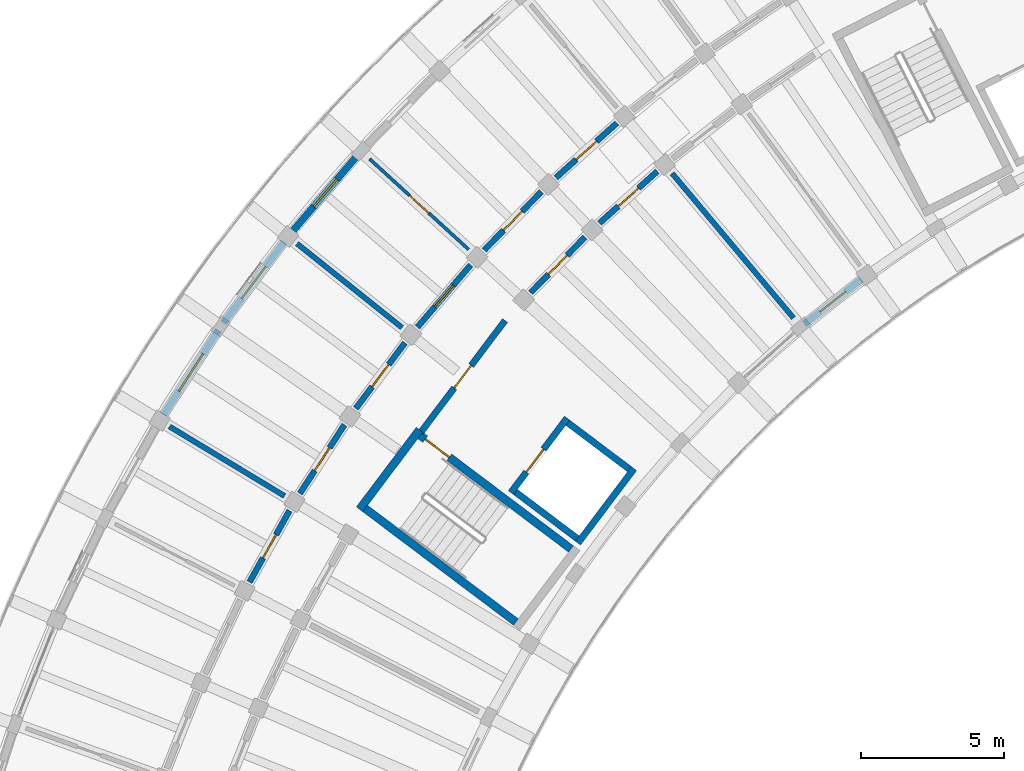
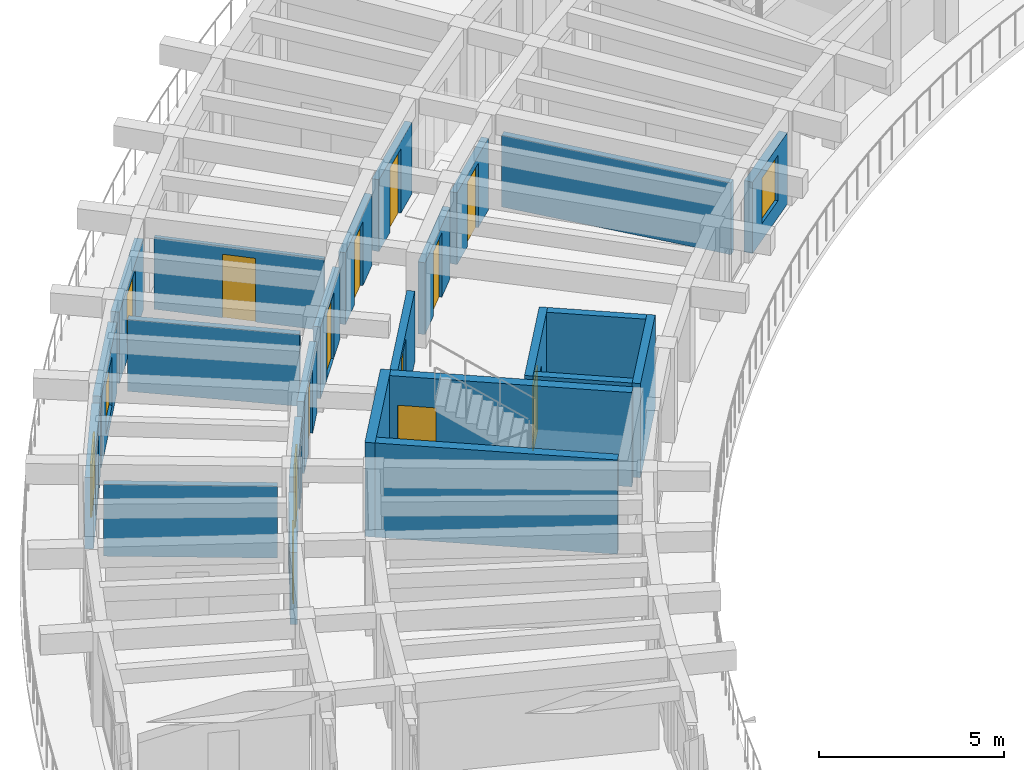
# One storey, part 47 of 81: 24 walls, 12 doors, 4 windows, 16 openings.
"""IFC4 building model written with IfcOpenShell, lengths in metres."""

import ifcopenshell
import ifcopenshell.guid

model = None  # the IFC model being written
_history = None  # IfcOwnerHistory: only IFC2X3 demands one
_inside = {}  # id of a spatial element -> (the spatial element, [elements in it])
_under = {}  # id of a project, library or spatial element -> (it, [spatial elements below it])
_declared = {}  # id of a project -> (the project, [libraries it declares])
_typed = {}  # id of a type object -> (the type object, [elements of that type])
_made_of = {}  # id of a material, layer set ... -> (it, [elements and type objects made of it])


def new_model(schema):
    """Start an empty IFC model of exactly this schema.

    Asked for "IFC4X3", IfcOpenShell would pick the latest addendum, in which some entities
    have other attributes; the version numbers below select the first issue.
    IFC2X3 requires an IfcOwnerHistory on every rooted entity: one is made here for all.
    """
    global model, _history
    if schema == "IFC4X3":
        model = ifcopenshell.file(schema_version=(4, 3, 0, 0))
    else:
        model = ifcopenshell.file(schema=schema)
    _inside.clear()
    _under.clear()
    _declared.clear()
    _typed.clear()
    _made_of.clear()
    _history = None
    if model.schema == "IFC2X3":
        org = make("IfcOrganization", Name="unknown")
        user = make(
            "IfcPersonAndOrganization",
            ThePerson=make("IfcPerson", FamilyName="unknown"),
            TheOrganization=org,
        )
        app = make(
            "IfcApplication",
            ApplicationDeveloper=org,
            Version="unknown",
            ApplicationFullName="unknown",
            ApplicationIdentifier="unknown",
        )
        _history = make(
            "IfcOwnerHistory",
            OwningUser=user,
            OwningApplication=app,
            ChangeAction="ADDED",
            CreationDate=0,
        )
    return model


def make(cls, **values):
    """One entity of the class cls with the attributes given. An attribute that is None is left unset."""
    return model.create_entity(
        cls, **{name: value for name, value in values.items() if value is not None}
    )


def rooted(cls, **values):
    """An entity with a GlobalId (a new one), such as an element, a storey or a relation."""
    return make(cls, GlobalId=ifcopenshell.guid.new(), OwnerHistory=_history, **values)


def si_unit(unit_type, name, prefix=None):
    """IfcSIUnit, for example si_unit("LENGTHUNIT", "METRE", prefix="MILLI")."""
    return make("IfcSIUnit", UnitType=unit_type, Prefix=prefix, Name=name)


def assignment(units):
    """IfcUnitAssignment: the units of a project."""
    return None if units is None else make("IfcUnitAssignment", Units=units)


def point(xyz):
    """IfcCartesianPoint."""
    return None if xyz is None else make("IfcCartesianPoint", Coordinates=xyz)


def direction(xyz):
    """IfcDirection."""
    return None if xyz is None else make("IfcDirection", DirectionRatios=xyz)


def frame(location, z_axis=None, x_axis=None):
    """IfcAxis2Placement3D, a coordinate frame: its origin and axes. An axis left out is left unset."""
    return make(
        "IfcAxis2Placement3D",
        Location=point(location),
        Axis=direction(z_axis),
        RefDirection=direction(x_axis),
    )


def frame_2d(location, x_axis=None):
    """IfcAxis2Placement2D, a coordinate frame in the plane: its origin and x axis."""
    return make(
        "IfcAxis2Placement2D", Location=point(location), RefDirection=direction(x_axis)
    )


def origin():
    """The frame at (0, 0, 0) with its axes left unset."""
    return frame((0.0, 0.0, 0.0))


def place(relative_to, where):
    """IfcLocalPlacement: puts the frame where relative to a parent placement (None: the world)."""
    return make(
        "IfcLocalPlacement", PlacementRelTo=relative_to, RelativePlacement=where
    )


def context(
    kind, dimensions, precision=None, world=None, true_north=None, identifier=None
):
    """IfcGeometricRepresentationContext, for example the 3D "Model" context."""
    return make(
        "IfcGeometricRepresentationContext",
        ContextIdentifier=identifier,
        ContextType=kind,
        CoordinateSpaceDimension=dimensions,
        Precision=precision,
        WorldCoordinateSystem=world,
        TrueNorth=true_north,
    )


def subcontext(parent, identifier, kind, view, scale=None):
    """IfcGeometricRepresentationSubContext, for example "Body" below "Model"."""
    return make(
        "IfcGeometricRepresentationSubContext",
        ContextIdentifier=identifier,
        ContextType=kind,
        ParentContext=parent,
        TargetScale=scale,
        TargetView=view,
    )


def project(units=None, contexts=None):
    """IfcProject with its units and contexts."""
    return rooted(
        "IfcProject",
        Name="project",
        RepresentationContexts=contexts,
        UnitsInContext=assignment(units),
    )


def spatial(cls, under=None, at=None, **own):
    """A site, building, storey or space (cls), placed at a placement, below another one or the project."""
    s = rooted(cls, ObjectPlacement=at, **own)
    if under is not None:
        _under.setdefault(under.id(), (under, []))[1].append(s)
    return s


def profile(cls, at=None, kind="AREA", **sizes):
    """A parametric profile (cls). Its sizes go by their IFC names, for example OverallWidth=200.0."""
    return make(cls, ProfileType=kind, Position=at, **sizes)


def rectangle(**sizes):
    """IfcRectangleProfileDef."""
    return profile("IfcRectangleProfileDef", **sizes)


def extrude(swept, where, along, depth):
    """IfcExtrudedAreaSolid: the profile swept, set in the frame where, extruded along a direction by depth."""
    return make(
        "IfcExtrudedAreaSolid",
        SweptArea=swept,
        Position=where,
        ExtrudedDirection=direction(along),
        Depth=depth,
    )


def shape(context_of_items, identifier, shape_type, items):
    """IfcShapeRepresentation: the items that make up one representation, for example the "Body"."""
    return make(
        "IfcShapeRepresentation",
        ContextOfItems=context_of_items,
        RepresentationIdentifier=identifier,
        RepresentationType=shape_type,
        Items=items,
    )


def material(Name=None, Category=None):
    """IfcMaterial."""
    return make("IfcMaterial", Name=Name, Category=Category)


def layer(
    of_material, thickness, ventilated=None, Name=None, Category=None, Priority=None
):
    """IfcMaterialLayer: one layer of a wall or slab, of a material (None: an air gap)."""
    return make(
        "IfcMaterialLayer",
        Material=of_material,
        LayerThickness=thickness,
        IsVentilated=ventilated,
        Name=Name,
        Category=Category,
        Priority=Priority,
    )


def layer_set(layers, Name=None):
    """IfcMaterialLayerSet."""
    return make("IfcMaterialLayerSet", MaterialLayers=layers, LayerSetName=Name)


def made_of(thing, what):
    """Note that an element or type object is made of a material, layer set ...; save() writes the relation."""
    if what is not None:
        _made_of.setdefault(what.id(), (what, []))[1].append(thing)
    return thing


def type_object(cls, material=None, **own):
    """A type object (cls), such as IfcWallType, which elements share."""
    return made_of(rooted(cls, **own), material)


def element(
    cls,
    number,
    at=None,
    inside=None,
    cuts=None,
    type_object=None,
    material=None,
    context=None,
    identifier="Body",
    shape_type=None,
    held_by="IfcProductDefinitionShape",
    body=None,
    shapes=None,
    **own,
):
    """One element of the class cls, such as IfcWall. Its Tag is "e" and its number.

    at: its placement. inside: the storey or other place that contains it. cuts: it is an
    opening in that element (IfcRelVoidsElement). A single representation is given by context,
    identifier, shape_type and body (its items); several are given by shapes. held_by: the class
    of the entity that holds the representations. save() writes the other relations.
    """
    e = rooted(cls, Tag="e%d" % number, ObjectPlacement=at, **own)
    if body is not None:
        shapes = [shape(context, identifier, shape_type, body)]
    if shapes is not None:
        e.Representation = make(held_by, Representations=shapes)
    if inside is not None:
        _inside.setdefault(inside.id(), (inside, []))[1].append(e)
    if cuts is not None:
        rooted(
            "IfcRelVoidsElement", RelatingBuildingElement=cuts, RelatedOpeningElement=e
        )
    if type_object is not None:
        _typed.setdefault(type_object.id(), (type_object, []))[1].append(e)
    return made_of(e, material)


def fill(opening, filler):
    """IfcRelFillsElement: the door or window that sits in an opening."""
    return rooted(
        "IfcRelFillsElement",
        RelatingOpeningElement=opening,
        RelatedBuildingElement=filler,
    )


def aggregate(whole, parts):
    """IfcRelAggregates: a whole, such as a stair, and the parts it consists of."""
    return rooted("IfcRelAggregates", RelatingObject=whole, RelatedObjects=parts)


def save(model, path):
    """Write the relations noted so far, then the file.

    IfcRelAggregates (storeys below a building ...), IfcRelContainedInSpatialStructure (elements
    in a storey), IfcRelDefinesByType, IfcRelAssociatesMaterial and IfcRelDeclares: one each for
    every whole, place, type object, material and project.
    """
    for whole, parts in _under.values():
        aggregate(whole, parts)
    for where, things in _inside.values():
        rooted(
            "IfcRelContainedInSpatialStructure",
            RelatedElements=things,
            RelatingStructure=where,
        )
    for kind, things in _typed.values():
        rooted("IfcRelDefinesByType", RelatedObjects=things, RelatingType=kind)
    for what, things in _made_of.values():
        rooted("IfcRelAssociatesMaterial", RelatedObjects=things, RelatingMaterial=what)
    for by, libraries in _declared.values():
        rooted("IfcRelDeclares", RelatingContext=by, RelatedDefinitions=libraries)
    model.write(path)


model = new_model("IFC4")

# Units and contexts
model_context = context("Model", 3, precision=1e-05, world=origin(), true_north=direction((0.0, 1.0)))
body_context = subcontext(model_context, "Body", "Model", "MODEL_VIEW")
ifc_project = project(units=[si_unit("LENGTHUNIT", "METRE"), si_unit("AREAUNIT", "SQUARE_METRE"), si_unit("VOLUMEUNIT", "CUBIC_METRE"), si_unit("PLANEANGLEUNIT", "RADIAN"), si_unit("MASSUNIT", "GRAM", prefix="KILO")], contexts=[model_context])

# Site, building, storey
site_placement = place(None, origin())
site = spatial("IfcSite", under=ifc_project, at=site_placement, CompositionType="ELEMENT")
building_placement = place(site_placement, origin())
building = spatial("IfcBuilding", under=site, at=building_placement, Name="Tanwirah Colonnade Gardens", CompositionType="ELEMENT")
storey_placement = place(building_placement, frame((0.0, 0.0, 18.919921875)))
storey = spatial("IfcBuildingStorey", under=building, at=storey_placement, Name="L05", CompositionType="ELEMENT", Elevation=18.919921875)

# Wall, opening, window
ifc_material_1 = material(Name="Limestone architectural precast concrete C40/50", Category="masonry")
ifc_layer_1 = layer(ifc_material_1, 0.2451171875)
ifc_layer_set_1 = layer_set([ifc_layer_1], Name="Limestone architectural precast concrete C40/50")
wall_type_1 = type_object("IfcWallType", Name="EW-PC245", PredefinedType="SOLIDWALL", material=ifc_layer_set_1)
wall_1_placement = place(storey_placement, frame((38.541015625, 95.907958984375, 0.0), z_axis=(0.0, 0.0, 1.0), x_axis=(-0.786831325151, -0.617168101704, 0.0)))
wall_1 = element("IfcWall", 1, at=wall_1_placement, inside=storey, type_object=wall_type_1, Name="Block A L05 IN Precast Facade Wall 8", PredefinedType="SOLIDWALL", context=body_context, shape_type="SweptSolid", body=[
    extrude(rectangle(XDim=2.525390625, YDim=0.2451171875, at=frame_2d((1.2626953125, 0.0))), origin(), (0.0, 0.0, 1.0), 2.35498046875),
])
opening_1_placement = place(wall_1_placement, frame((0.6875, 0.0, 0.550048828125)))
opening_1 = element("IfcOpeningElement", 2, at=opening_1_placement, cuts=wall_1, Name="Opening WIN-T01", PredefinedType="OPENING", context=body_context, shape_type="SweptSolid", body=[
    extrude(rectangle(XDim=1.14990234375, YDim=1.5, at=frame_2d((0.574951171875, 0.75))), frame((0.0, 0.132568359375, 0.0), z_axis=(0.0, -1.0, 0.0), x_axis=(1.0, 0.0, 0.0)), (0.0, 0.0, 1.0), 0.26513671875),
])
ifc_material_2 = material(Name="Thermally broken bronze aluminium and solar low-E double glazing", Category="aluminium")
window_type_1 = type_object("IfcWindowType", Name="WIN-T01", PartitioningType="SINGLE_PANEL", PredefinedType="WINDOW", material=ifc_material_2)
window_1_placement = place(opening_1_placement, origin())
window_1 = element("IfcWindow", 3, at=window_1_placement, inside=storey, type_object=window_type_1, Name="Facade window A-L05-IN-08", OverallHeight=1.5, OverallWidth=1.14990234375, PartitioningType="SINGLE_PANEL", PredefinedType="WINDOW", context=body_context, shape_type="SweptSolid", body=[
    extrude(rectangle(XDim=1.14990234375, YDim=1.5, at=frame_2d((0.574951171875, 0.75))), frame((0.0, 0.030029296875, 0.0), z_axis=(0.0, -1.0, 0.0), x_axis=(1.0, 0.0, 0.0)), (0.0, 0.0, 1.0), 0.06005859375),
])
fill(opening_1, window_1)

wall_2_placement = place(storey_placement, frame((20.9521484375, 100.267333984375, 0.0), z_axis=(0.0, 0.0, 1.0), x_axis=(-0.65016298181, -0.759794773004, 0.0)))
wall_2 = element("IfcWall", 4, at=wall_2_placement, inside=storey, type_object=wall_type_1, Name="Block A L05 OUT Precast Facade Wall 11", PredefinedType="SOLIDWALL", context=body_context, shape_type="SweptSolid", body=[
    extrude(rectangle(XDim=3.520751953125, YDim=0.2451171875, at=frame_2d((1.76025390625, 0.0))), origin(), (0.0, 0.0, 1.0), 2.35498046875),
])
opening_2_placement = place(wall_2_placement, frame((1.13525390625, 0.0, 0.550048828125)))
opening_2 = element("IfcOpeningElement", 5, at=opening_2_placement, cuts=wall_2, Name="Opening WIN-T03", PredefinedType="OPENING", context=body_context, shape_type="SweptSolid", body=[
    extrude(rectangle(XDim=1.25, YDim=1.60009765625, at=frame_2d((0.625, 0.800048828125))), frame((0.0, 0.132568359375, 0.0), z_axis=(0.0, -1.0, 0.0), x_axis=(1.0, 0.0, 0.0)), (0.0, 0.0, 1.0), 0.26513671875),
])
window_type_2 = type_object("IfcWindowType", Name="WIN-T03", PartitioningType="SINGLE_PANEL", PredefinedType="WINDOW", material=ifc_material_2)
window_2_placement = place(opening_2_placement, origin())
window_2 = element("IfcWindow", 6, at=window_2_placement, inside=storey, type_object=window_type_2, Name="Facade window A-L05-OUT-11", OverallHeight=1.60009765625, OverallWidth=1.25, PartitioningType="SINGLE_PANEL", PredefinedType="WINDOW", context=body_context, shape_type="SweptSolid", body=[
    extrude(rectangle(XDim=1.25, YDim=1.60009765625, at=frame_2d((0.625, 0.800048828125))), frame((0.0, 0.030029296875, 0.0), z_axis=(0.0, -1.0, 0.0), x_axis=(1.0, 0.0, 0.0)), (0.0, 0.0, 1.0), 0.06005859375),
])
fill(opening_2, window_2)

wall_3_placement = place(storey_placement, frame((18.35693359375, 97.2099609375, 0.0), z_axis=(0.0, 0.0, 1.0), x_axis=(-0.598701122926, -0.800972512267, 0.0)))
wall_3 = element("IfcWall", 7, at=wall_3_placement, inside=storey, type_object=wall_type_1, Name="Block A L05 OUT Precast Facade Wall 12", PredefinedType="SOLIDWALL", context=body_context, shape_type="SweptSolid", body=[
    extrude(rectangle(XDim=3.520751953125, YDim=0.2451171875, at=frame_2d((1.76025390625, 0.0))), origin(), (0.0, 0.0, 1.0), 2.35498046875),
])
opening_3_placement = place(wall_3_placement, frame((1.060302734375, 0.0, 0.35009765625)))
opening_3 = element("IfcOpeningElement", 8, at=opening_3_placement, cuts=wall_3, Name="Opening WIN-T06", PredefinedType="OPENING", context=body_context, shape_type="SweptSolid", body=[
    extrude(rectangle(XDim=1.39990234375, YDim=1.64990234375, at=frame_2d((0.699951171875, 0.824951171875))), frame((0.0, 0.132568359375, 0.0), z_axis=(0.0, -1.0, 0.0), x_axis=(1.0, 0.0, 0.0)), (0.0, 0.0, 1.0), 0.26513671875),
])
window_type_3 = type_object("IfcWindowType", Name="WIN-T06", PartitioningType="DOUBLE_PANEL_VERTICAL", PredefinedType="WINDOW", material=ifc_material_2)
window_3_placement = place(opening_3_placement, origin())
window_3 = element("IfcWindow", 9, at=window_3_placement, inside=storey, type_object=window_type_3, Name="Facade window A-L05-OUT-12", OverallHeight=1.64990234375, OverallWidth=1.39990234375, PartitioningType="SINGLE_PANEL", PredefinedType="WINDOW", context=body_context, shape_type="SweptSolid", body=[
    extrude(rectangle(XDim=1.39990234375, YDim=1.64990234375, at=frame_2d((0.699951171875, 0.824951171875))), frame((0.0, 0.030029296875, 0.0), z_axis=(0.0, -1.0, 0.0), x_axis=(1.0, 0.0, 0.0)), (0.0, 0.0, 1.0), 0.06005859375),
])
fill(opening_3, window_3)

wall_4_placement = place(storey_placement, frame((16.066162109375, 94.127685546875, 0.0), z_axis=(0.0, 0.0, 1.0), x_axis=(-0.544610510414, -0.838689091349, 0.0)))
wall_4 = element("IfcWall", 10, at=wall_4_placement, inside=storey, type_object=wall_type_1, Name="Block A L05 OUT Precast Facade Wall 13", PredefinedType="SOLIDWALL", context=body_context, shape_type="SweptSolid", body=[
    extrude(rectangle(XDim=3.520751953125, YDim=0.2451171875, at=frame_2d((1.76025390625, 0.0))), origin(), (0.0, 0.0, 1.0), 2.35498046875),
])
opening_4_placement = place(wall_4_placement, frame((0.9853515625, 0.0, 0.35009765625)))
opening_4 = element("IfcOpeningElement", 11, at=opening_4_placement, cuts=wall_4, Name="Opening WIN-T09", PredefinedType="OPENING", context=body_context, shape_type="SweptSolid", body=[
    extrude(rectangle(XDim=1.550048828125, YDim=1.75, at=frame_2d((0.77490234375, 0.875))), frame((0.0, 0.132568359375, 0.0), z_axis=(0.0, -1.0, 0.0), x_axis=(1.0, 0.0, 0.0)), (0.0, 0.0, 1.0), 0.26513671875),
])
window_type_4 = type_object("IfcWindowType", Name="WIN-T09", PartitioningType="DOUBLE_PANEL_VERTICAL", PredefinedType="WINDOW", material=ifc_material_2)
window_4_placement = place(opening_4_placement, origin())
window_4 = element("IfcWindow", 12, at=window_4_placement, inside=storey, type_object=window_type_4, Name="Facade window A-L05-OUT-13", OverallHeight=1.75, OverallWidth=1.550048828125, PartitioningType="SINGLE_PANEL", PredefinedType="WINDOW", context=body_context, shape_type="SweptSolid", body=[
    extrude(rectangle(XDim=1.550048828125, YDim=1.75, at=frame_2d((0.77490234375, 0.875))), frame((0.0, 0.030029296875, 0.0), z_axis=(0.0, -1.0, 0.0), x_axis=(1.0, 0.0, 0.0)), (0.0, 0.0, 1.0), 0.06005859375),
])
fill(opening_4, window_4)

# Wall, opening, door
ifc_material_3 = material(Name="Precast concrete C40/50", Category="concrete")
ifc_layer_2 = layer(ifc_material_3, 0.205078125)
ifc_layer_set_2 = layer_set([ifc_layer_2], Name="Precast concrete C40/50")
wall_type_2 = type_object("IfcWallType", Name="IW-CORR205", PredefinedType="PARTITIONING", material=ifc_layer_set_2)
wall_5_placement = place(storey_placement, frame((29.996826171875, 101.37109375, 0.0), z_axis=(0.0, 0.0, 1.0), x_axis=(-0.744433521088, -0.667696587291, 0.0)))
wall_5 = element("IfcWall", 13, at=wall_5_placement, inside=storey, type_object=wall_type_2, Name="Block A L05 OUT Corridor Wall 9", PredefinedType="PARTITIONING", context=body_context, shape_type="SweptSolid", body=[
    extrude(rectangle(XDim=2.86328125, YDim=0.205078125, at=frame_2d((1.431640625, 0.0))), origin(), (0.0, 0.0, 1.0), 2.3701171875),
])
opening_5_placement = place(wall_5_placement, frame((0.95654296875, 0.0, 0.0)))
opening_5 = element("IfcOpeningElement", 14, at=opening_5_placement, cuts=wall_5, Name="Opening L05-AD452", PredefinedType="OPENING", context=body_context, shape_type="SweptSolid", body=[
    extrude(rectangle(XDim=0.949951171875, YDim=2.1298828125, at=frame_2d((0.47509765625, 1.06494140625))), frame((0.0, 0.112548828125, 0.0), z_axis=(0.0, -1.0, 0.0), x_axis=(1.0, 0.0, 0.0)), (0.0, 0.0, 1.0), 0.22509765625),
])
ifc_material_4 = material(Name="Solid oak fire-resisting apartment entrance door")
door_type_1 = type_object("IfcDoorType", Name="ID-FLT095", OperationType="NOTDEFINED", PredefinedType="DOOR", material=ifc_material_4)
door_1_placement = place(opening_5_placement, origin())
door_1 = element("IfcDoor", 15, at=door_1_placement, inside=storey, type_object=door_type_1, Name="Apartment corridor door L05-AD452", OperationType="SINGLE_SWING_LEFT", OverallHeight=2.1298828125, OverallWidth=0.949951171875, PredefinedType="DOOR", context=body_context, shape_type="SweptSolid", body=[
    extrude(rectangle(XDim=0.949951171875, YDim=2.1298828125, at=frame_2d((0.47509765625, 1.06494140625))), frame((0.0, 0.02490234375, 0.0), z_axis=(0.0, -1.0, 0.0), x_axis=(1.0, 0.0, 0.0)), (0.0, 0.0, 1.0), 0.050048828125),
])
fill(opening_5, door_1)

wall_6_placement = place(storey_placement, frame((31.410888671875, 99.685791015625, 0.0), z_axis=(0.0, 0.0, 1.0), x_axis=(-0.744418559135, -0.667713268413, 0.0)))
wall_6 = element("IfcWall", 16, at=wall_6_placement, inside=storey, type_object=wall_type_2, Name="Block A L05 IN Corridor Wall 9", PredefinedType="PARTITIONING", context=body_context, shape_type="SweptSolid", body=[
    extrude(rectangle(XDim=2.71826171875, YDim=0.205078125, at=frame_2d((1.359130859375, 0.0))), origin(), (0.0, 0.0, 1.0), 2.3701171875),
])
opening_6_placement = place(wall_6_placement, frame((0.884033203125, 0.0, 0.0)))
opening_6 = element("IfcOpeningElement", 17, at=opening_6_placement, cuts=wall_6, Name="Opening L05-AD453", PredefinedType="OPENING", context=body_context, shape_type="SweptSolid", body=[
    extrude(rectangle(XDim=0.949951171875, YDim=2.1298828125, at=frame_2d((0.47509765625, 1.06494140625))), frame((0.0, 0.112548828125, 0.0), z_axis=(0.0, -1.0, 0.0), x_axis=(1.0, 0.0, 0.0)), (0.0, 0.0, 1.0), 0.22509765625),
])
door_2_placement = place(opening_6_placement, origin())
door_2 = element("IfcDoor", 18, at=door_2_placement, inside=storey, type_object=door_type_1, Name="Apartment corridor door L05-AD453", OperationType="SINGLE_SWING_RIGHT", OverallHeight=2.1298828125, OverallWidth=0.949951171875, PredefinedType="DOOR", context=body_context, shape_type="SweptSolid", body=[
    extrude(rectangle(XDim=0.949951171875, YDim=2.1298828125, at=frame_2d((0.47509765625, 1.06494140625))), frame((0.0, 0.02490234375, 0.0), z_axis=(0.0, -1.0, 0.0), x_axis=(1.0, 0.0, 0.0)), (0.0, 0.0, 1.0), 0.050048828125),
])
fill(opening_6, door_2)

wall_7_placement = place(storey_placement, frame((27.360107421875, 98.975341796875, 0.0), z_axis=(0.0, 0.0, 1.0), x_axis=(-0.698787219683, -0.715329589496, 0.0)))
wall_7 = element("IfcWall", 19, at=wall_7_placement, inside=storey, type_object=wall_type_2, Name="Block A L05 OUT Corridor Wall 10", PredefinedType="PARTITIONING", context=body_context, shape_type="SweptSolid", body=[
    extrude(rectangle(XDim=2.863037109375, YDim=0.205078125, at=frame_2d((1.431640625, 0.0))), origin(), (0.0, 0.0, 1.0), 2.3701171875),
])
opening_7_placement = place(wall_7_placement, frame((0.966552734375, 0.0, 0.0)))
opening_7 = element("IfcOpeningElement", 20, at=opening_7_placement, cuts=wall_7, Name="Opening L05-AD454", PredefinedType="OPENING", context=body_context, shape_type="SweptSolid", body=[
    extrude(rectangle(XDim=0.929931640625, YDim=2.1201171875, at=frame_2d((0.46484375, 1.06005859375))), frame((0.0, 0.112548828125, 0.0), z_axis=(0.0, -1.0, 0.0), x_axis=(1.0, 0.0, 0.0)), (0.0, 0.0, 1.0), 0.22509765625),
])
door_type_2 = type_object("IfcDoorType", Name="ID-FLT093", OperationType="NOTDEFINED", PredefinedType="DOOR", material=ifc_material_4)
door_3_placement = place(opening_7_placement, origin())
door_3 = element("IfcDoor", 21, at=door_3_placement, inside=storey, type_object=door_type_2, Name="Apartment corridor door L05-AD454", OperationType="SINGLE_SWING_RIGHT", OverallHeight=2.1201171875, OverallWidth=0.929931640625, PredefinedType="DOOR", context=body_context, shape_type="SweptSolid", body=[
    extrude(rectangle(XDim=0.929931640625, YDim=2.1201171875, at=frame_2d((0.46484375, 1.06005859375))), frame((0.0, 0.02490234375, 0.0), z_axis=(0.0, -1.0, 0.0), x_axis=(1.0, 0.0, 0.0)), (0.0, 0.0, 1.0), 0.050048828125),
])
fill(opening_7, door_3)

wall_8_placement = place(storey_placement, frame((28.88232421875, 97.38671875, 0.0), z_axis=(0.0, 0.0, 1.0), x_axis=(-0.698840007829, -0.715278018296, 0.0)))
wall_8 = element("IfcWall", 22, at=wall_8_placement, inside=storey, type_object=wall_type_2, Name="Block A L05 IN Corridor Wall 10", PredefinedType="PARTITIONING", context=body_context, shape_type="SweptSolid", body=[
    extrude(rectangle(XDim=2.718017578125, YDim=0.205078125, at=frame_2d((1.35888671875, 0.0))), origin(), (0.0, 0.0, 1.0), 2.3701171875),
])
opening_8_placement = place(wall_8_placement, frame((0.89404296875, 0.0, 0.0)))
opening_8 = element("IfcOpeningElement", 23, at=opening_8_placement, cuts=wall_8, Name="Opening L05-AD455", PredefinedType="OPENING", context=body_context, shape_type="SweptSolid", body=[
    extrude(rectangle(XDim=0.929931640625, YDim=2.1201171875, at=frame_2d((0.46484375, 1.06005859375))), frame((0.0, 0.112548828125, 0.0), z_axis=(0.0, -1.0, 0.0), x_axis=(1.0, 0.0, 0.0)), (0.0, 0.0, 1.0), 0.22509765625),
])
door_4_placement = place(opening_8_placement, origin())
door_4 = element("IfcDoor", 24, at=door_4_placement, inside=storey, type_object=door_type_2, Name="Apartment corridor door L05-AD455", OperationType="SINGLE_SWING_LEFT", OverallHeight=2.1201171875, OverallWidth=0.929931640625, PredefinedType="DOOR", context=body_context, shape_type="SweptSolid", body=[
    extrude(rectangle(XDim=0.929931640625, YDim=2.1201171875, at=frame_2d((0.46484375, 1.06005859375))), frame((0.0, 0.02490234375, 0.0), z_axis=(0.0, -1.0, 0.0), x_axis=(1.0, 0.0, 0.0)), (0.0, 0.0, 1.0), 0.050048828125),
])
fill(opening_8, door_4)

wall_9_placement = place(storey_placement, frame((24.88720703125, 96.4111328125, 0.0), z_axis=(0.0, 0.0, 1.0), x_axis=(-0.650194272684, -0.759767996015, 0.0)))
wall_9 = element("IfcWall", 25, at=wall_9_placement, inside=storey, type_object=wall_type_2, Name="Block A L05 OUT Corridor Wall 11", PredefinedType="PARTITIONING", context=body_context, shape_type="SweptSolid", body=[
    extrude(rectangle(XDim=2.863037109375, YDim=0.205078125, at=frame_2d((1.431640625, 0.0))), origin(), (0.0, 0.0, 1.0), 2.3701171875),
])
opening_9_placement = place(wall_9_placement, frame((0.9365234375, 0.0, 0.0)))
opening_9 = element("IfcOpeningElement", 26, at=opening_9_placement, cuts=wall_9, Name="Opening L05-AD457", PredefinedType="OPENING", context=body_context, shape_type="SweptSolid", body=[
    extrude(rectangle(XDim=0.989990234375, YDim=2.159912109375, at=frame_2d((0.4951171875, 1.080078125))), frame((0.0, 0.112548828125, 0.0), z_axis=(0.0, -1.0, 0.0), x_axis=(1.0, 0.0, 0.0)), (0.0, 0.0, 1.0), 0.22509765625),
])
door_type_3 = type_object("IfcDoorType", Name="ID-FLT099", OperationType="NOTDEFINED", PredefinedType="DOOR", material=ifc_material_4)
door_5_placement = place(opening_9_placement, origin())
door_5 = element("IfcDoor", 27, at=door_5_placement, inside=storey, type_object=door_type_3, Name="Apartment corridor door L05-AD457", OperationType="SINGLE_SWING_LEFT", OverallHeight=2.159912109375, OverallWidth=0.989990234375, PredefinedType="DOOR", context=body_context, shape_type="SweptSolid", body=[
    extrude(rectangle(XDim=0.989990234375, YDim=2.159912109375, at=frame_2d((0.4951171875, 1.080078125))), frame((0.0, 0.02490234375, 0.0), z_axis=(0.0, -1.0, 0.0), x_axis=(1.0, 0.0, 0.0)), (0.0, 0.0, 1.0), 0.050048828125),
])
fill(opening_9, door_5)

wall_10_placement = place(storey_placement, frame((22.588623046875, 93.689453125, 0.0), z_axis=(0.0, 0.0, 1.0), x_axis=(-0.598757763243, -0.800930172335, 0.0)))
wall_10 = element("IfcWall", 28, at=wall_10_placement, inside=storey, type_object=wall_type_2, Name="Block A L05 OUT Corridor Wall 12", PredefinedType="PARTITIONING", context=body_context, shape_type="SweptSolid", body=[
    extrude(rectangle(XDim=2.86328125, YDim=0.205078125, at=frame_2d((1.431640625, 0.0))), origin(), (0.0, 0.0, 1.0), 2.3701171875),
])
opening_10_placement = place(wall_10_placement, frame((0.946533203125, 0.0, 0.0)))
opening_10 = element("IfcOpeningElement", 29, at=opening_10_placement, cuts=wall_10, Name="Opening L05-AD458", PredefinedType="OPENING", context=body_context, shape_type="SweptSolid", body=[
    extrude(rectangle(XDim=0.969970703125, YDim=2.14990234375, at=frame_2d((0.48486328125, 1.074951171875))), frame((0.0, 0.112548828125, 0.0), z_axis=(0.0, -1.0, 0.0), x_axis=(1.0, 0.0, 0.0)), (0.0, 0.0, 1.0), 0.22509765625),
])
door_type_4 = type_object("IfcDoorType", Name="ID-FLT097", OperationType="NOTDEFINED", PredefinedType="DOOR", material=ifc_material_4)
door_6_placement = place(opening_10_placement, origin())
door_6 = element("IfcDoor", 30, at=door_6_placement, inside=storey, type_object=door_type_4, Name="Apartment corridor door L05-AD458", OperationType="SINGLE_SWING_RIGHT", OverallHeight=2.14990234375, OverallWidth=0.969970703125, PredefinedType="DOOR", context=body_context, shape_type="SweptSolid", body=[
    extrude(rectangle(XDim=0.969970703125, YDim=2.14990234375, at=frame_2d((0.48486328125, 1.074951171875))), frame((0.0, 0.02490234375, 0.0), z_axis=(0.0, -1.0, 0.0), x_axis=(1.0, 0.0, 0.0)), (0.0, 0.0, 1.0), 0.050048828125),
])
fill(opening_10, door_6)

wall_11_placement = place(storey_placement, frame((20.47412109375, 90.822265625, 0.0), z_axis=(0.0, 0.0, 1.0), x_axis=(-0.544643612649, -0.838667595178, 0.0)))
wall_11 = element("IfcWall", 31, at=wall_11_placement, inside=storey, type_object=wall_type_2, Name="Block A L05 OUT Corridor Wall 13", PredefinedType="PARTITIONING", context=body_context, shape_type="SweptSolid", body=[
    extrude(rectangle(XDim=2.863037109375, YDim=0.205078125, at=frame_2d((1.431640625, 0.0))), origin(), (0.0, 0.0, 1.0), 2.3701171875),
])
opening_11_placement = place(wall_11_placement, frame((0.95654296875, 0.0, 0.0)))
opening_11 = element("IfcOpeningElement", 32, at=opening_11_placement, cuts=wall_11, Name="Opening L05-AD459", PredefinedType="OPENING", context=body_context, shape_type="SweptSolid", body=[
    extrude(rectangle(XDim=0.949951171875, YDim=2.1298828125, at=frame_2d((0.47509765625, 1.06494140625))), frame((0.0, 0.112548828125, 0.0), z_axis=(0.0, -1.0, 0.0), x_axis=(1.0, 0.0, 0.0)), (0.0, 0.0, 1.0), 0.22509765625),
])
door_7_placement = place(opening_11_placement, origin())
door_7 = element("IfcDoor", 33, at=door_7_placement, inside=storey, type_object=door_type_1, Name="Apartment corridor door L05-AD459", OperationType="SINGLE_SWING_LEFT", OverallHeight=2.1298828125, OverallWidth=0.949951171875, PredefinedType="DOOR", context=body_context, shape_type="SweptSolid", body=[
    extrude(rectangle(XDim=0.949951171875, YDim=2.1298828125, at=frame_2d((0.47509765625, 1.06494140625))), frame((0.0, 0.02490234375, 0.0), z_axis=(0.0, -1.0, 0.0), x_axis=(1.0, 0.0, 0.0)), (0.0, 0.0, 1.0), 0.050048828125),
])
fill(opening_11, door_7)

wall_12_placement = place(storey_placement, frame((18.55322265625, 87.822021484375, 0.0), z_axis=(0.0, 0.0, 1.0), x_axis=(-0.488211211273, -0.872725508501, 0.0)))
wall_12 = element("IfcWall", 34, at=wall_12_placement, inside=storey, type_object=wall_type_2, Name="Block A L05 OUT Corridor Wall 14", PredefinedType="PARTITIONING", context=body_context, shape_type="SweptSolid", body=[
    extrude(rectangle(XDim=2.86279296875, YDim=0.205078125, at=frame_2d((1.431396484375, 0.0))), origin(), (0.0, 0.0, 1.0), 2.3701171875),
])
opening_12_placement = place(wall_12_placement, frame((0.966552734375, 0.0, 0.0)))
opening_12 = element("IfcOpeningElement", 35, at=opening_12_placement, cuts=wall_12, Name="Opening L05-AD460", PredefinedType="OPENING", context=body_context, shape_type="SweptSolid", body=[
    extrude(rectangle(XDim=0.929931640625, YDim=2.1201171875, at=frame_2d((0.46484375, 1.06005859375))), frame((0.0, 0.112548828125, 0.0), z_axis=(0.0, -1.0, 0.0), x_axis=(1.0, 0.0, 0.0)), (0.0, 0.0, 1.0), 0.22509765625),
])
door_8_placement = place(opening_12_placement, origin())
door_8 = element("IfcDoor", 36, at=door_8_placement, inside=storey, type_object=door_type_2, Name="Apartment corridor door L05-AD460", OperationType="SINGLE_SWING_RIGHT", OverallHeight=2.1201171875, OverallWidth=0.929931640625, PredefinedType="DOOR", context=body_context, shape_type="SweptSolid", body=[
    extrude(rectangle(XDim=0.929931640625, YDim=2.1201171875, at=frame_2d((0.46484375, 1.06005859375))), frame((0.0, 0.02490234375, 0.0), z_axis=(0.0, -1.0, 0.0), x_axis=(1.0, 0.0, 0.0)), (0.0, 0.0, 1.0), 0.050048828125),
])
fill(opening_12, door_8)

# Walls
ifc_layer_3 = layer(ifc_material_3, 0.18505859375)
ifc_layer_set_3 = layer_set([ifc_layer_3], Name="Precast concrete C40/50")
wall_type_3 = type_object("IfcWallType", Name="IW-DEM185", PredefinedType="PARTITIONING", material=ifc_layer_set_3)
wall_13_placement = place(storey_placement, frame((36.1708984375, 94.55712890625, 0.0), z_axis=(0.0, 0.0, 1.0), x_axis=(-0.642789470807, 0.766042881449, 0.0)))
element("IfcWall", 37, at=wall_13_placement, inside=storey, type_object=wall_type_3, Name="Block A L05 Inner Radial Partition 8", PredefinedType="PARTITIONING", context=body_context, shape_type="SweptSolid", body=[
    extrude(rectangle(XDim=6.60009765625, YDim=0.18505859375, at=frame_2d((3.300048828125, 0.0))), origin(), (0.0, 0.0, 1.0), 2.3701171875),
])
wall_14_placement = place(storey_placement, frame((22.48583984375, 94.2197265625, 0.0), z_axis=(0.0, 0.0, 1.0), x_axis=(-0.780807994362, 0.624771058821, 0.0)))
element("IfcWall", 38, at=wall_14_placement, inside=storey, type_object=wall_type_3, Name="Block A L05 Radial Partition 11", PredefinedType="PARTITIONING", context=body_context, shape_type="SweptSolid", body=[
    extrude(rectangle(XDim=4.7001953125, YDim=0.18505859375, at=frame_2d((2.35009765625, 0.0))), origin(), (0.0, 0.0, 1.0), 2.3701171875),
])
wall_15_placement = place(storey_placement, frame((18.381591796875, 88.334228515625, 0.0), z_axis=(0.0, 0.0, 1.0), x_axis=(-0.856165473929, 0.516701733356, 0.0)))
element("IfcWall", 39, at=wall_15_placement, inside=storey, type_object=wall_type_3, Name="Block A L05 Radial Partition 13", PredefinedType="PARTITIONING", context=body_context, shape_type="SweptSolid", body=[
    extrude(rectangle(XDim=4.699951171875, YDim=0.18505859375, at=frame_2d((2.35009765625, 0.0))), origin(), (0.0, 0.0, 1.0), 2.3701171875),
])

# Wall, opening, door
ifc_material_5 = material(Name="Autoclaved aerated masonry blockwork", Category="masonry")
ifc_layer_4 = layer(ifc_material_5, 0.219970703125)
ifc_layer_set_4 = layer_set([ifc_layer_4], Name="Autoclaved aerated masonry blockwork")
wall_type_4 = type_object("IfcWallType", Name="IW-FFL220", PredefinedType="PARTITIONING", material=ifc_layer_set_4)
wall_16_placement = place(storey_placement, frame((23.138916015625, 90.55517578125, 0.0), z_axis=(0.0, 0.0, 1.0), x_axis=(0.601792209296, 0.79865270101, 0.0)))
wall_16 = element("IfcWall", 40, at=wall_16_placement, inside=storey, type_object=wall_type_4, Name="CORE-A2 L05 Enclosed Lobby Fire Wall", PredefinedType="PARTITIONING", context=body_context, shape_type="SweptSolid", body=[
    extrude(rectangle(XDim=4.89990234375, YDim=0.219970703125, at=frame_2d((2.449951171875, 0.0))), origin(), (0.0, 0.0, 1.0), 2.340087890625),
])
opening_13_placement = place(wall_16_placement, frame((1.949951171875, 0.0, 0.0)))
opening_13 = element("IfcOpeningElement", 41, at=opening_13_placement, cuts=wall_16, Name="Opening L05-LD055", PredefinedType="OPENING", context=body_context, shape_type="SweptSolid", body=[
    extrude(rectangle(XDim=0.97998046875, YDim=2.139892578125, at=frame_2d((0.489990234375, 1.06982421875))), frame((0.0, 0.119873046875, 0.0), z_axis=(0.0, -1.0, 0.0), x_axis=(1.0, 0.0, 0.0)), (0.0, 0.0, 1.0), 0.239990234375),
])
ifc_material_6 = material(Name="Acoustic fire-resisting lobby door")
door_type_5 = type_object("IfcDoorType", Name="ID-FFL098", OperationType="NOTDEFINED", PredefinedType="DOOR", material=ifc_material_6)
door_9_placement = place(opening_13_placement, origin())
door_9 = element("IfcDoor", 42, at=door_9_placement, inside=storey, type_object=door_type_5, Name="CORE-A2 L05 Lobby Fire Door L05-LD055", OperationType="SINGLE_SWING_RIGHT", OverallHeight=2.139892578125, OverallWidth=0.97998046875, PredefinedType="DOOR", context=body_context, shape_type="SweptSolid", body=[
    extrude(rectangle(XDim=0.97998046875, YDim=2.139892578125, at=frame_2d((0.489990234375, 1.06982421875))), frame((0.0, 0.02490234375, 0.0), z_axis=(0.0, -1.0, 0.0), x_axis=(1.0, 0.0, 0.0)), (0.0, 0.0, 1.0), 0.050048828125),
])
fill(opening_13, door_9)

ifc_material_7 = material(Name="Acoustic gypsum stud partition")
ifc_layer_5 = layer(ifc_material_7, 0.114990234375)
ifc_layer_set_5 = layer_set([ifc_layer_5], Name="Acoustic gypsum stud partition")
wall_type_5 = type_object("IfcWallType", Name="IW-INT115", PredefinedType="PARTITIONING", material=ifc_layer_set_5)
wall_17_placement = place(storey_placement, frame((24.819580078125, 96.947021484375, 0.0), z_axis=(0.0, 0.0, 1.0), x_axis=(-0.737934199263, 0.674872667663, 0.0)))
wall_17 = element("IfcWall", 43, at=wall_17_placement, inside=storey, type_object=wall_type_5, Name="Block A L05 Radial Partition 10", PredefinedType="PARTITIONING", context=body_context, shape_type="SweptSolid", body=[
    extrude(rectangle(XDim=4.699951171875, YDim=0.114990234375, at=frame_2d((2.35009765625, 0.0))), origin(), (0.0, 0.0, 1.0), 2.3701171875),
])
opening_14_placement = place(wall_17_placement, frame((1.89501953125, 0.0, 0.0)))
opening_14 = element("IfcOpeningElement", 44, at=opening_14_placement, cuts=wall_17, Name="Opening L05-RD456", PredefinedType="OPENING", context=body_context, shape_type="SweptSolid", body=[
    extrude(rectangle(XDim=0.909912109375, YDim=2.10009765625, at=frame_2d((0.455078125, 1.050048828125))), frame((0.0, 0.0673828125, 0.0), z_axis=(0.0, -1.0, 0.0), x_axis=(1.0, 0.0, 0.0)), (0.0, 0.0, 1.0), 0.135009765625),
])
ifc_material_8 = material(Name="Painted hardwood internal room door", Category="wood")
door_type_6 = type_object("IfcDoorType", Name="ID-RM091", OperationType="NOTDEFINED", PredefinedType="DOOR", material=ifc_material_8)
door_10_placement = place(opening_14_placement, origin())
door_10 = element("IfcDoor", 45, at=door_10_placement, inside=storey, type_object=door_type_6, Name="Internal apartment door L05-RD456", OperationType="SINGLE_SWING_RIGHT", OverallHeight=2.10009765625, OverallWidth=0.909912109375, PredefinedType="DOOR", context=body_context, shape_type="SweptSolid", body=[
    extrude(rectangle(XDim=0.909912109375, YDim=2.10009765625, at=frame_2d((0.455078125, 1.050048828125))), frame((0.0, 0.02490234375, 0.0), z_axis=(0.0, -1.0, 0.0), x_axis=(1.0, 0.0, 0.0)), (0.0, 0.0, 1.0), 0.050048828125),
])
fill(opening_14, door_10)

# Walls
ifc_material_9 = material(Name="Concrete C45/55", Category="concrete")
ifc_layer_6 = layer(ifc_material_9, 0.280029296875)
ifc_layer_set_6 = layer_set([ifc_layer_6], Name="Concrete C45/55")
wall_type_6 = type_object("IfcWallType", Name="SW-CORE280", PredefinedType="SHEAR", material=ifc_layer_set_6)
wall_18_placement = place(storey_placement, frame((21.19873046875, 87.8974609375, 0.0), z_axis=(0.0, 0.0, 1.0), x_axis=(0.798639633744, -0.601809550782, 0.0)))
element("IfcWall", 46, at=wall_18_placement, inside=storey, type_object=wall_type_6, Name="CORE-A2 L05 Stair Shaft Shear Wall LEFT", PredefinedType="SHEAR", context=body_context, shape_type="SweptSolid", body=[
    extrude(rectangle(XDim=6.599853515625, YDim=0.280029296875, at=frame_2d((3.2998046875, 0.0))), origin(), (0.0, 0.0, 1.0), 3.110107421875),
])
wall_19_placement = place(storey_placement, frame((21.002685546875, 87.869873046875, 0.0), z_axis=(0.0, 0.0, 1.0), x_axis=(0.601794470585, 0.798650997102, 0.0)))
element("IfcWall", 47, at=wall_19_placement, inside=storey, type_object=wall_type_6, Name="CORE-A2 L05 Stair Shaft Shear Wall NEAR", PredefinedType="SHEAR", context=body_context, shape_type="SweptSolid", body=[
    extrude(rectangle(XDim=3.47998046875, YDim=0.280029296875, at=frame_2d((1.739990234375, 0.0))), origin(), (0.0, 0.0, 1.0), 3.110107421875),
])

# Wall, opening, door
wall_20_placement = place(storey_placement, frame((23.12451171875, 90.453125, 0.0), z_axis=(0.0, 0.0, 1.0), x_axis=(0.798639633744, -0.601809550782, 0.0)))
wall_20 = element("IfcWall", 48, at=wall_20_placement, inside=storey, type_object=wall_type_6, Name="CORE-A2 L05 Stair Shaft Shear Wall RIGHT", PredefinedType="SHEAR", context=body_context, shape_type="SweptSolid", body=[
    extrude(rectangle(XDim=6.599853515625, YDim=0.280029296875, at=frame_2d((3.2998046875, 0.0))), origin(), (0.0, 0.0, 1.0), 3.110107421875),
])
opening_15_placement = place(wall_20_placement, frame((0.219970703125, 0.0, 0.0)))
opening_15 = element("IfcOpeningElement", 49, at=opening_15_placement, cuts=wall_20, Name="Opening L05-SD039", PredefinedType="OPENING", context=body_context, shape_type="SweptSolid", body=[
    extrude(rectangle(XDim=1.050048828125, YDim=2.14990234375, at=frame_2d((0.52490234375, 1.074951171875))), frame((0.0, 0.14990234375, 0.0), z_axis=(0.0, -1.0, 0.0), x_axis=(1.0, 0.0, 0.0)), (0.0, 0.0, 1.0), 0.300048828125),
])
ifc_material_10 = material(Name="Steel fire-resisting stair enclosure door", Category="steel")
door_type_7 = type_object("IfcDoorType", Name="ID-ST105", OperationType="NOTDEFINED", PredefinedType="DOOR", material=ifc_material_10)
door_11_placement = place(opening_15_placement, origin())
door_11 = element("IfcDoor", 50, at=door_11_placement, inside=storey, type_object=door_type_7, Name="CORE-A2 L05 Stair Fire Door L05-SD039", OperationType="SINGLE_SWING_RIGHT", OverallHeight=2.14990234375, OverallWidth=1.050048828125, PredefinedType="DOOR", context=body_context, shape_type="SweptSolid", body=[
    extrude(rectangle(XDim=1.050048828125, YDim=2.14990234375, at=frame_2d((0.52490234375, 1.074951171875))), frame((0.0, 0.02490234375, 0.0), z_axis=(0.0, -1.0, 0.0), x_axis=(1.0, 0.0, 0.0)), (0.0, 0.0, 1.0), 0.050048828125),
])
fill(opening_15, door_11)

ifc_layer_7 = layer(ifc_material_9, 0.22998046875)
ifc_layer_set_7 = layer_set([ifc_layer_7], Name="Concrete C45/55")
wall_type_7 = type_object("IfcWallType", Name="SW-LIFT230", PredefinedType="SHEAR", material=ifc_layer_set_7)
wall_21_placement = place(storey_placement, frame((26.2939453125, 88.452880859375, 0.0), z_axis=(0.0, 0.0, 1.0), x_axis=(0.601819781152, 0.798631924615, 0.0)))
wall_21 = element("IfcWall", 51, at=wall_21_placement, inside=storey, type_object=wall_type_7, Name="CORE-A2 L05 Lift Shaft Wall FRONT", PredefinedType="SHEAR", context=body_context, shape_type="SweptSolid", body=[
    extrude(rectangle(XDim=3.260009765625, YDim=0.22998046875, at=frame_2d((1.6298828125, 0.0))), origin(), (0.0, 0.0, 1.0), 3.110107421875),
])
opening_16_placement = place(wall_21_placement, frame((0.89990234375, 0.0, 0.0)))
opening_16 = element("IfcOpeningElement", 52, at=opening_16_placement, cuts=wall_21, Name="Opening L05-LD-PL-A2", PredefinedType="OPENING", context=body_context, shape_type="SweptSolid", body=[
    extrude(rectangle(XDim=1.0, YDim=2.14990234375, at=frame_2d((0.5, 1.074951171875))), frame((0.0, 0.125, 0.0), z_axis=(0.0, -1.0, 0.0), x_axis=(1.0, 0.0, 0.0)), (0.0, 0.0, 1.0), 0.25),
])
ifc_material_11 = material(Name="Bronze stainless steel sliding lift landing door", Category="steel")
door_type_8 = type_object("IfcDoorType", Name="LD-PS10", OperationType="DOUBLE_DOOR_SLIDING", PredefinedType="DOOR", material=ifc_material_11)
door_12_placement = place(opening_16_placement, origin())
door_12 = element("IfcDoor", 53, at=door_12_placement, inside=storey, type_object=door_type_8, Name="Lift PL-A2 L05 Sliding Landing Door", OperationType="DOUBLE_DOOR_SLIDING", OverallHeight=2.14990234375, OverallWidth=1.0, PredefinedType="DOOR", context=body_context, shape_type="SweptSolid", body=[
    extrude(rectangle(XDim=1.0, YDim=2.14990234375, at=frame_2d((0.5, 1.074951171875))), frame((0.0, 0.02490234375, 0.0), z_axis=(0.0, -1.0, 0.0), x_axis=(1.0, 0.0, 0.0)), (0.0, 0.0, 1.0), 0.050048828125),
])
fill(opening_16, door_12)

# Walls
wall_22_placement = place(storey_placement, frame((28.634033203125, 86.689697265625, 0.0), z_axis=(0.0, 0.0, 1.0), x_axis=(0.601819781152, 0.798631924615, 0.0)))
element("IfcWall", 54, at=wall_22_placement, inside=storey, type_object=wall_type_7, Name="CORE-A2 L05 Lift Shaft Wall BACK", PredefinedType="SHEAR", context=body_context, shape_type="SweptSolid", body=[
    extrude(rectangle(XDim=3.260009765625, YDim=0.22998046875, at=frame_2d((1.6298828125, 0.0))), origin(), (0.0, 0.0, 1.0), 3.110107421875),
])
for number, where, z_axis, x_axis, name in (
    (55, (26.455078125, 88.4755859375, 0.0), (0.0, 0.0, 1.0), (0.798608971494, -0.601850239387, 0.0), "CORE-A2 L05 Lift Shaft Wall SIDEA"),
    (56, (28.278564453125, 90.8955078125, 0.0), (0.0, 0.0, 1.0), (0.798608971494, -0.601850239387, 0.0), "CORE-A2 L05 Lift Shaft Wall SIDEB"),
):
    element("IfcWall", number, at=place(storey_placement, frame(where, z_axis=z_axis, x_axis=x_axis)), inside=storey, type_object=wall_type_7, Name=name, PredefinedType="SHEAR", context=body_context, shape_type="SweptSolid", body=[
        extrude(rectangle(XDim=2.699951171875, YDim=0.22998046875, at=frame_2d((1.35009765625, 0.0))), origin(), (0.0, 0.0, 1.0), 3.110107421875),
    ])

save(model, "model.ifc")
